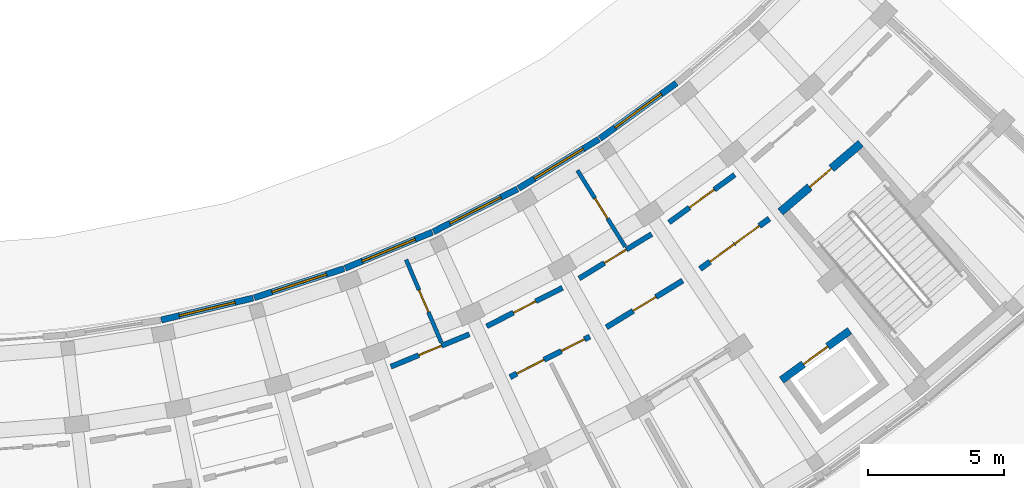
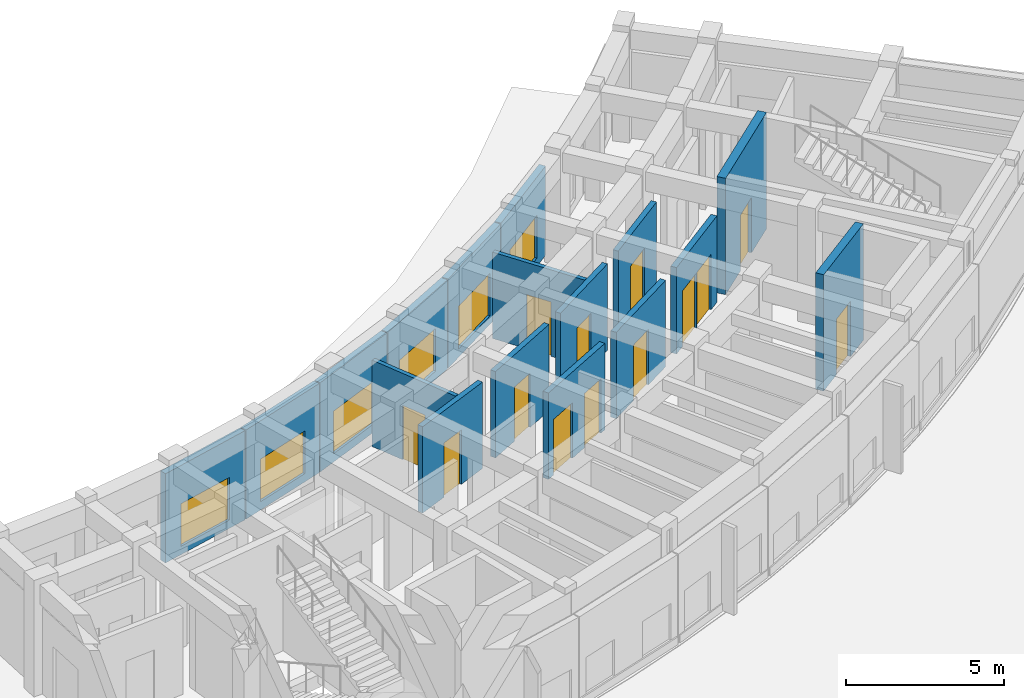
# One storey, part 44 of 61: 17 walls, 13 doors, 6 windows, 19 openings.
"""IFC4 building model written with IfcOpenShell, lengths in metres."""

from ifc_helpers import new_model, si_unit, direction, frame, frame_2d, origin, place, context, subcontext, project, spatial, rectangle, extrude, material, layer, layer_set, type_object, element, fill, save


model = new_model("IFC4")

# Units and contexts
model_context = context("Model", 3, precision=1e-05, world=origin(), true_north=direction((0.0, 1.0)))
body_context = subcontext(model_context, "Body", "Model", "MODEL_VIEW")
ifc_project = project(units=[si_unit("LENGTHUNIT", "METRE"), si_unit("AREAUNIT", "SQUARE_METRE"), si_unit("VOLUMEUNIT", "CUBIC_METRE"), si_unit("PLANEANGLEUNIT", "RADIAN"), si_unit("MASSUNIT", "GRAM", prefix="KILO")], contexts=[model_context])

# Site, building, storey
site_placement = place(None, origin())
site = spatial("IfcSite", under=ifc_project, at=site_placement, CompositionType="ELEMENT")
building_placement = place(site_placement, origin())
building = spatial("IfcBuilding", under=site, at=building_placement, Name="Zimvara Arc Housing Community", CompositionType="ELEMENT")
storey_placement = place(building_placement, origin())
storey = spatial("IfcBuildingStorey", under=building, at=storey_placement, Name="L00", CompositionType="ELEMENT", Elevation=0.0)

# Wall, opening, window
ifc_material_1 = material(Name="Board-Marked Fair-Faced Concrete C35/45", Category="concrete")
ifc_layer_1 = layer(ifc_material_1, 0.22998046875)
ifc_layer_set_1 = layer_set([ifc_layer_1], Name="Board-Marked Fair-Faced Concrete C35/45")
wall_type_1 = type_object("IfcWallType", Name="EWL-CONC-230", PredefinedType="SOLIDWALL", material=ifc_layer_set_1)
wall_1_placement = place(storey_placement, frame((134.666259765625, 66.094482421875, 0.0), z_axis=(0.0, 0.0, 1.0), x_axis=(0.972567451803, 0.232621047398, 0.0)))
wall_1 = element("IfcWall", 1, at=wall_1_placement, inside=storey, type_object=wall_type_1, Name="ewall:blkD:L00:in:b2", PredefinedType="SOLIDWALL", context=body_context, shape_type="SweptSolid", body=[
    extrude(rectangle(XDim=3.46337890625, YDim=0.22998046875, at=frame_2d((1.731689453125, 0.0))), origin(), (0.0, 0.0, 1.0), 3.449951171875),
])
opening_1_placement = place(wall_1_placement, frame((0.681884765625, 0.0, 0.320068359375)))
opening_1 = element("IfcOpeningElement", 2, at=opening_1_placement, cuts=wall_1, Name="Opening W09", PredefinedType="OPENING", context=body_context, shape_type="SweptSolid", body=[
    extrude(rectangle(XDim=2.10009765625, YDim=1.64990234375, at=frame_2d((1.050048828125, 0.824951171875))), frame((0.0, 0.125, 0.0), z_axis=(0.0, -1.0, 0.0), x_axis=(1.0, 0.0, 0.0)), (0.0, 0.0, 1.0), 0.25),
])
ifc_material_2 = material(Name="Solar Control Low-E Double Glazing", Category="glass")
window_type = type_object("IfcWindowType", Name="WIN-RES-2100x1650", PartitioningType="TRIPLE_PANEL_VERTICAL", PredefinedType="WINDOW", material=ifc_material_2)
window_1_placement = place(opening_1_placement, origin())
window_1 = element("IfcWindow", 3, at=window_1_placement, inside=storey, type_object=window_type, Name="win:blkD:L00:in:b2", OverallHeight=1.64990234375, OverallWidth=2.10009765625, PartitioningType="TRIPLE_PANEL_VERTICAL", PredefinedType="WINDOW", context=body_context, shape_type="SweptSolid", body=[
    extrude(rectangle(XDim=2.10009765625, YDim=1.64990234375, at=frame_2d((1.050048828125, 0.824951171875))), frame((0.0, 0.030029296875, 0.0), z_axis=(0.0, -1.0, 0.0), x_axis=(1.0, 0.0, 0.0)), (0.0, 0.0, 1.0), 0.06005859375),
])
fill(opening_1, window_1)

wall_2_placement = place(storey_placement, frame((138.0732421875, 66.910888671875, 0.0), z_axis=(0.0, 0.0, 1.0), x_axis=(0.951327869213, 0.308180604935, 0.0)))
wall_2 = element("IfcWall", 4, at=wall_2_placement, inside=storey, type_object=wall_type_1, Name="ewall:blkD:L00:in:b3", PredefinedType="SOLIDWALL", context=body_context, shape_type="SweptSolid", body=[
    extrude(rectangle(XDim=3.46337890625, YDim=0.22998046875, at=frame_2d((1.731689453125, 0.0))), origin(), (0.0, 0.0, 1.0), 3.449951171875),
])
opening_2_placement = place(wall_2_placement, frame((0.681884765625, 0.0, 0.320068359375)))
opening_2 = element("IfcOpeningElement", 5, at=opening_2_placement, cuts=wall_2, Name="Opening W09", PredefinedType="OPENING", context=body_context, shape_type="SweptSolid", body=[
    extrude(rectangle(XDim=2.10009765625, YDim=1.64990234375, at=frame_2d((1.050048828125, 0.824951171875))), frame((0.0, 0.125, 0.0), z_axis=(0.0, -1.0, 0.0), x_axis=(1.0, 0.0, 0.0)), (0.0, 0.0, 1.0), 0.25),
])
window_2_placement = place(opening_2_placement, origin())
window_2 = element("IfcWindow", 6, at=window_2_placement, inside=storey, type_object=window_type, Name="win:blkD:L00:in:b3", OverallHeight=1.64990234375, OverallWidth=2.10009765625, PartitioningType="TRIPLE_PANEL_VERTICAL", PredefinedType="WINDOW", context=body_context, shape_type="SweptSolid", body=[
    extrude(rectangle(XDim=2.10009765625, YDim=1.64990234375, at=frame_2d((1.050048828125, 0.824951171875))), frame((0.0, 0.030029296875, 0.0), z_axis=(0.0, -1.0, 0.0), x_axis=(1.0, 0.0, 0.0)), (0.0, 0.0, 1.0), 0.06005859375),
])
fill(opening_2, window_2)

wall_3_placement = place(storey_placement, frame((141.40576171875, 67.9921875, 0.0), z_axis=(0.0, 0.0, 1.0), x_axis=(0.924221949388, 0.381855716561, 0.0)))
wall_3 = element("IfcWall", 7, at=wall_3_placement, inside=storey, type_object=wall_type_1, Name="ewall:blkD:L00:in:b4", PredefinedType="SOLIDWALL", context=body_context, shape_type="SweptSolid", body=[
    extrude(rectangle(XDim=3.46337890625, YDim=0.22998046875, at=frame_2d((1.731689453125, 0.0))), origin(), (0.0, 0.0, 1.0), 3.449951171875),
])
opening_3_placement = place(wall_3_placement, frame((0.681884765625, 0.0, 0.320068359375)))
opening_3 = element("IfcOpeningElement", 8, at=opening_3_placement, cuts=wall_3, Name="Opening W09", PredefinedType="OPENING", context=body_context, shape_type="SweptSolid", body=[
    extrude(rectangle(XDim=2.10009765625, YDim=1.64990234375, at=frame_2d((1.050048828125, 0.824951171875))), frame((0.0, 0.125, 0.0), z_axis=(0.0, -1.0, 0.0), x_axis=(1.0, 0.0, 0.0)), (0.0, 0.0, 1.0), 0.25),
])
window_3_placement = place(opening_3_placement, origin())
window_3 = element("IfcWindow", 9, at=window_3_placement, inside=storey, type_object=window_type, Name="win:blkD:L00:in:b4", OverallHeight=1.64990234375, OverallWidth=2.10009765625, PartitioningType="TRIPLE_PANEL_VERTICAL", PredefinedType="WINDOW", context=body_context, shape_type="SweptSolid", body=[
    extrude(rectangle(XDim=2.10009765625, YDim=1.64990234375, at=frame_2d((1.050048828125, 0.824951171875))), frame((0.0, 0.030029296875, 0.0), z_axis=(0.0, -1.0, 0.0), x_axis=(1.0, 0.0, 0.0)), (0.0, 0.0, 1.0), 0.06005859375),
])
fill(opening_3, window_3)

wall_4_placement = place(storey_placement, frame((144.64306640625, 69.33154296875, 0.0), z_axis=(0.0, 0.0, 1.0), x_axis=(0.891418434034, 0.453181172893, 0.0)))
wall_4 = element("IfcWall", 10, at=wall_4_placement, inside=storey, type_object=wall_type_1, Name="ewall:blkD:L00:in:b5", PredefinedType="SOLIDWALL", context=body_context, shape_type="SweptSolid", body=[
    extrude(rectangle(XDim=3.46337890625, YDim=0.22998046875, at=frame_2d((1.731689453125, 0.0))), origin(), (0.0, 0.0, 1.0), 3.449951171875),
])
opening_4_placement = place(wall_4_placement, frame((0.681884765625, 0.0, 0.320068359375)))
opening_4 = element("IfcOpeningElement", 11, at=opening_4_placement, cuts=wall_4, Name="Opening W09", PredefinedType="OPENING", context=body_context, shape_type="SweptSolid", body=[
    extrude(rectangle(XDim=2.10009765625, YDim=1.64990234375, at=frame_2d((1.050048828125, 0.824951171875))), frame((0.0, 0.125, 0.0), z_axis=(0.0, -1.0, 0.0), x_axis=(1.0, 0.0, 0.0)), (0.0, 0.0, 1.0), 0.25),
])
window_4_placement = place(opening_4_placement, origin())
window_4 = element("IfcWindow", 12, at=window_4_placement, inside=storey, type_object=window_type, Name="win:blkD:L00:in:b5", OverallHeight=1.64990234375, OverallWidth=2.10009765625, PartitioningType="TRIPLE_PANEL_VERTICAL", PredefinedType="WINDOW", context=body_context, shape_type="SweptSolid", body=[
    extrude(rectangle(XDim=2.10009765625, YDim=1.64990234375, at=frame_2d((1.050048828125, 0.824951171875))), frame((0.0, 0.030029296875, 0.0), z_axis=(0.0, -1.0, 0.0), x_axis=(1.0, 0.0, 0.0)), (0.0, 0.0, 1.0), 0.06005859375),
])
fill(opening_4, window_4)

wall_5_placement = place(storey_placement, frame((147.765380859375, 70.920654296875, 0.0), z_axis=(0.0, 0.0, 1.0), x_axis=(0.85310231885, 0.521743647371, 0.0)))
wall_5 = element("IfcWall", 13, at=wall_5_placement, inside=storey, type_object=wall_type_1, Name="ewall:blkD:L00:in:b6", PredefinedType="SOLIDWALL", context=body_context, shape_type="SweptSolid", body=[
    extrude(rectangle(XDim=3.463623046875, YDim=0.22998046875, at=frame_2d((1.73193359375, 0.0))), origin(), (0.0, 0.0, 1.0), 3.449951171875),
])
opening_5_placement = place(wall_5_placement, frame((0.681884765625, 0.0, 0.320068359375)))
opening_5 = element("IfcOpeningElement", 14, at=opening_5_placement, cuts=wall_5, Name="Opening W09", PredefinedType="OPENING", context=body_context, shape_type="SweptSolid", body=[
    extrude(rectangle(XDim=2.10009765625, YDim=1.64990234375, at=frame_2d((1.050048828125, 0.824951171875))), frame((0.0, 0.125, 0.0), z_axis=(0.0, -1.0, 0.0), x_axis=(1.0, 0.0, 0.0)), (0.0, 0.0, 1.0), 0.25),
])
window_5_placement = place(opening_5_placement, origin())
window_5 = element("IfcWindow", 15, at=window_5_placement, inside=storey, type_object=window_type, Name="win:blkD:L00:in:b6", OverallHeight=1.64990234375, OverallWidth=2.10009765625, PartitioningType="TRIPLE_PANEL_VERTICAL", PredefinedType="WINDOW", context=body_context, shape_type="SweptSolid", body=[
    extrude(rectangle(XDim=2.10009765625, YDim=1.64990234375, at=frame_2d((1.050048828125, 0.824951171875))), frame((0.0, 0.030029296875, 0.0), z_axis=(0.0, -1.0, 0.0), x_axis=(1.0, 0.0, 0.0)), (0.0, 0.0, 1.0), 0.06005859375),
])
fill(opening_5, window_5)

wall_6_placement = place(storey_placement, frame((150.75341796875, 72.75, 0.0), z_axis=(0.0, 0.0, 1.0), x_axis=(0.809540089106, 0.587064599623, 0.0)))
wall_6 = element("IfcWall", 16, at=wall_6_placement, inside=storey, type_object=wall_type_1, Name="ewall:blkD:L00:in:b7", PredefinedType="SOLIDWALL", context=body_context, shape_type="SweptSolid", body=[
    extrude(rectangle(XDim=3.46337890625, YDim=0.22998046875, at=frame_2d((1.731689453125, 0.0))), origin(), (0.0, 0.0, 1.0), 3.449951171875),
])
opening_6_placement = place(wall_6_placement, frame((0.681884765625, 0.0, 0.320068359375)))
opening_6 = element("IfcOpeningElement", 17, at=opening_6_placement, cuts=wall_6, Name="Opening W09", PredefinedType="OPENING", context=body_context, shape_type="SweptSolid", body=[
    extrude(rectangle(XDim=2.10009765625, YDim=1.64990234375, at=frame_2d((1.050048828125, 0.824951171875))), frame((0.0, 0.125, 0.0), z_axis=(0.0, -1.0, 0.0), x_axis=(1.0, 0.0, 0.0)), (0.0, 0.0, 1.0), 0.25),
])
window_6_placement = place(opening_6_placement, origin())
window_6 = element("IfcWindow", 18, at=window_6_placement, inside=storey, type_object=window_type, Name="win:blkD:L00:in:b7", OverallHeight=1.64990234375, OverallWidth=2.10009765625, PartitioningType="TRIPLE_PANEL_VERTICAL", PredefinedType="WINDOW", context=body_context, shape_type="SweptSolid", body=[
    extrude(rectangle(XDim=2.10009765625, YDim=1.64990234375, at=frame_2d((1.050048828125, 0.824951171875))), frame((0.0, 0.030029296875, 0.0), z_axis=(0.0, -1.0, 0.0), x_axis=(1.0, 0.0, 0.0)), (0.0, 0.0, 1.0), 0.06005859375),
])
fill(opening_6, window_6)

# Wall, openings, doors
ifc_material_3 = material(Name="Concrete C35/45", Category="concrete")
ifc_layer_2 = layer(ifc_material_3, 0.2099609375)
ifc_layer_set_2 = layer_set([ifc_layer_2], Name="Concrete C35/45")
wall_type_2 = type_object("IfcWallType", Name="IWL-CCF-210", PredefinedType="SOLIDWALL", material=ifc_layer_set_2)
wall_7_placement = place(storey_placement, frame((154.4228515625, 67.968017578125, 0.0), z_axis=(0.0, 0.0, 1.0), x_axis=(0.809516127005, 0.587097641043, 0.0)))
wall_7 = element("IfcWall", 19, at=wall_7_placement, inside=storey, type_object=wall_type_2, Name="iwall:blkD:L00:ll_div:b7", PredefinedType="SOLIDWALL", context=body_context, shape_type="SweptSolid", body=[
    extrude(rectangle(XDim=3.13720703125, YDim=0.2099609375, at=frame_2d((1.568603515625, 0.0))), origin(), (0.0, 0.0, 1.0), 3.340087890625),
])
opening_7_placement = place(wall_7_placement, frame((0.449951171875, 0.0, 0.0)))
opening_7 = element("IfcOpeningElement", 20, at=opening_7_placement, cuts=wall_7, Name="Opening FD-CCF1", PredefinedType="OPENING", context=body_context, shape_type="SweptSolid", body=[
    extrude(rectangle(XDim=1.10009765625, YDim=2.14990234375, at=frame_2d((0.550048828125, 1.074951171875))), frame((0.0, 0.114990234375, 0.0), z_axis=(0.0, -1.0, 0.0), x_axis=(1.0, 0.0, 0.0)), (0.0, 0.0, 1.0), 0.22998046875),
])
opening_8_placement = place(wall_7_placement, frame((1.56689453125, 0.0, 0.0)))
opening_8 = element("IfcOpeningElement", 21, at=opening_8_placement, cuts=wall_7, Name="Opening D07", PredefinedType="OPENING", context=body_context, shape_type="SweptSolid", body=[
    extrude(rectangle(XDim=1.1201171875, YDim=2.14990234375, at=frame_2d((0.56005859375, 1.074951171875))), frame((0.0, 0.114990234375, 0.0), z_axis=(0.0, -1.0, 0.0), x_axis=(1.0, 0.0, 0.0)), (0.0, 0.0, 1.0), 0.22998046875),
])
ifc_material_4 = material(Name="Mozambican Hardwood", Category="wood")
door_type_1 = type_object("IfcDoorType", Name="IDR-AMN-1120x2150", OperationType="NOTDEFINED", PredefinedType="DOOR", material=ifc_material_4)
door_1_placement = place(opening_8_placement, origin())
door_1 = element("IfcDoor", 22, at=door_1_placement, inside=storey, type_object=door_type_1, Name="idoor:blkD:L00:rs_in:b7", OperationType="SINGLE_SWING_RIGHT", OverallHeight=2.14990234375, OverallWidth=1.1201171875, PredefinedType="DOOR", context=body_context, shape_type="SweptSolid", body=[
    extrude(rectangle(XDim=1.1201171875, YDim=2.14990234375, at=frame_2d((0.56005859375, 1.074951171875))), frame((0.0, 0.02490234375, 0.0), z_axis=(0.0, -1.0, 0.0), x_axis=(1.0, 0.0, 0.0)), (0.0, 0.0, 1.0), 0.050048828125),
])
fill(opening_8, door_1)
ifc_material_5 = material(Name="Anodised Aluminium AW-6063", Category="aluminium")
door_type_2 = type_object("IfcDoorType", Name="IDR-CCF-1100x2150", OperationType="NOTDEFINED", PredefinedType="DOOR", material=ifc_material_5)
door_2_placement = place(opening_7_placement, origin())
door_2 = element("IfcDoor", 23, at=door_2_placement, inside=storey, type_object=door_type_2, Name="idoor:blkD:L00:ll_in:b7", OperationType="SINGLE_SWING_LEFT", OverallHeight=2.14990234375, OverallWidth=1.10009765625, PredefinedType="DOOR", context=body_context, shape_type="SweptSolid", body=[
    extrude(rectangle(XDim=1.10009765625, YDim=2.14990234375, at=frame_2d((0.550048828125, 1.074951171875))), frame((0.0, 0.02490234375, 0.0), z_axis=(0.0, -1.0, 0.0), x_axis=(1.0, 0.0, 0.0)), (0.0, 0.0, 1.0), 0.050048828125),
])
fill(opening_7, door_2)

# Wall, opening, door
ifc_material_6 = material(Name="Concrete C35/45", Category="concrete")
ifc_layer_3 = layer(ifc_material_6, 0.18994140625)
ifc_layer_set_3 = layer_set([ifc_layer_3], Name="Concrete C35/45")
wall_type_3 = type_object("IfcWallType", Name="IWL-CORR-190", PredefinedType="SOLIDWALL", material=ifc_layer_set_3)
wall_8_placement = place(storey_placement, frame((143.0849609375, 64.3828125, 0.0), z_axis=(0.0, 0.0, 1.0), x_axis=(0.924213340202, 0.381876553081, 0.0)))
wall_8 = element("IfcWall", 24, at=wall_8_placement, inside=storey, type_object=wall_type_3, Name="iwall:blkD:L00:corr_in:b4", PredefinedType="SOLIDWALL", context=body_context, shape_type="SweptSolid", body=[
    extrude(rectangle(XDim=3.115966796875, YDim=0.18994140625, at=frame_2d((1.55810546875, 0.0))), origin(), (0.0, 0.0, 1.0), 3.340087890625),
])
opening_9_placement = place(wall_8_placement, frame((1.10791015625, 0.0, 0.0)))
opening_9 = element("IfcOpeningElement", 25, at=opening_9_placement, cuts=wall_8, Name="Opening D01", PredefinedType="OPENING", context=body_context, shape_type="SweptSolid", body=[
    extrude(rectangle(XDim=0.89990234375, YDim=2.10009765625, at=frame_2d((0.449951171875, 1.050048828125))), frame((0.0, 0.10498046875, 0.0), z_axis=(0.0, -1.0, 0.0), x_axis=(1.0, 0.0, 0.0)), (0.0, 0.0, 1.0), 0.2099609375),
])
ifc_material_7 = material(Name="Mozambican Hardwood", Category="wood")
door_type_3 = type_object("IfcDoorType", Name="IDR-RM-0900x2100", OperationType="NOTDEFINED", PredefinedType="DOOR", material=ifc_material_7)
door_3_placement = place(opening_9_placement, origin())
door_3 = element("IfcDoor", 26, at=door_3_placement, inside=storey, type_object=door_type_3, Name="idoor:blkD:L00:in_rm:b4", OperationType="SINGLE_SWING_RIGHT", OverallHeight=2.10009765625, OverallWidth=0.89990234375, PredefinedType="DOOR", context=body_context, shape_type="SweptSolid", body=[
    extrude(rectangle(XDim=0.89990234375, YDim=2.10009765625, at=frame_2d((0.449951171875, 1.050048828125))), frame((0.0, 0.02490234375, 0.0), z_axis=(0.0, -1.0, 0.0), x_axis=(1.0, 0.0, 0.0)), (0.0, 0.0, 1.0), 0.050048828125),
])
fill(opening_9, door_3)

wall_9_placement = place(storey_placement, frame((146.600341796875, 65.865234375, 0.0), z_axis=(0.0, 0.0, 1.0), x_axis=(0.891414101388, 0.453189695212, 0.0)))
wall_9 = element("IfcWall", 27, at=wall_9_placement, inside=storey, type_object=wall_type_3, Name="iwall:blkD:L00:corr_in:b5", PredefinedType="SOLIDWALL", context=body_context, shape_type="SweptSolid", body=[
    extrude(rectangle(XDim=3.115966796875, YDim=0.18994140625, at=frame_2d((1.55810546875, 0.0))), origin(), (0.0, 0.0, 1.0), 3.340087890625),
])
opening_10_placement = place(wall_9_placement, frame((1.097900390625, 0.0, 0.0)))
opening_10 = element("IfcOpeningElement", 28, at=opening_10_placement, cuts=wall_9, Name="Opening D02", PredefinedType="OPENING", context=body_context, shape_type="SweptSolid", body=[
    extrude(rectangle(XDim=0.919921875, YDim=2.10009765625, at=frame_2d((0.4599609375, 1.050048828125))), frame((0.0, 0.10498046875, 0.0), z_axis=(0.0, -1.0, 0.0), x_axis=(1.0, 0.0, 0.0)), (0.0, 0.0, 1.0), 0.2099609375),
])
ifc_material_8 = material(Name="Mozambican Hardwood", Category="wood")
door_type_4 = type_object("IfcDoorType", Name="IDR-RM-0920x2100", OperationType="NOTDEFINED", PredefinedType="DOOR", material=ifc_material_8)
door_4_placement = place(opening_10_placement, origin())
door_4 = element("IfcDoor", 29, at=door_4_placement, inside=storey, type_object=door_type_4, Name="idoor:blkD:L00:in_rm:b5", OperationType="SINGLE_SWING_LEFT", OverallHeight=2.10009765625, OverallWidth=0.919921875, PredefinedType="DOOR", context=body_context, shape_type="SweptSolid", body=[
    extrude(rectangle(XDim=0.919921875, YDim=2.10009765625, at=frame_2d((0.4599609375, 1.050048828125))), frame((0.0, 0.02490234375, 0.0), z_axis=(0.0, -1.0, 0.0), x_axis=(1.0, 0.0, 0.0)), (0.0, 0.0, 1.0), 0.050048828125),
])
fill(opening_10, door_4)

wall_10_placement = place(storey_placement, frame((149.988525390625, 67.61865234375, 0.0), z_axis=(0.0, 0.0, 1.0), x_axis=(0.853121049608, 0.5217130195, 0.0)))
wall_10 = element("IfcWall", 30, at=wall_10_placement, inside=storey, type_object=wall_type_3, Name="iwall:blkD:L00:corr_in:b6", PredefinedType="SOLIDWALL", context=body_context, shape_type="SweptSolid", body=[
    extrude(rectangle(XDim=3.1162109375, YDim=0.18994140625, at=frame_2d((1.55810546875, 0.0))), origin(), (0.0, 0.0, 1.0), 3.340087890625),
])
opening_11_placement = place(wall_10_placement, frame((1.087890625, 0.0, 0.0)))
opening_11 = element("IfcOpeningElement", 31, at=opening_11_placement, cuts=wall_10, Name="Opening D03", PredefinedType="OPENING", context=body_context, shape_type="SweptSolid", body=[
    extrude(rectangle(XDim=0.93994140625, YDim=2.10009765625, at=frame_2d((0.469970703125, 1.050048828125))), frame((0.0, 0.10498046875, 0.0), z_axis=(0.0, -1.0, 0.0), x_axis=(1.0, 0.0, 0.0)), (0.0, 0.0, 1.0), 0.2099609375),
])
ifc_material_9 = material(Name="Mozambican Hardwood", Category="wood")
door_type_5 = type_object("IfcDoorType", Name="IDR-RM-0940x2100", OperationType="NOTDEFINED", PredefinedType="DOOR", material=ifc_material_9)
door_5_placement = place(opening_11_placement, origin())
door_5 = element("IfcDoor", 32, at=door_5_placement, inside=storey, type_object=door_type_5, Name="idoor:blkD:L00:in_rm:b6", OperationType="SINGLE_SWING_RIGHT", OverallHeight=2.10009765625, OverallWidth=0.93994140625, PredefinedType="DOOR", context=body_context, shape_type="SweptSolid", body=[
    extrude(rectangle(XDim=0.93994140625, YDim=2.10009765625, at=frame_2d((0.469970703125, 1.050048828125))), frame((0.0, 0.02490234375, 0.0), z_axis=(0.0, -1.0, 0.0), x_axis=(1.0, 0.0, 0.0)), (0.0, 0.0, 1.0), 0.050048828125),
])
fill(opening_11, door_5)

wall_11_placement = place(storey_placement, frame((153.285400390625, 69.673583984375, 0.0), z_axis=(0.0, 0.0, 1.0), x_axis=(0.809505174959, 0.587112741911, 0.0)))
wall_11 = element("IfcWall", 33, at=wall_11_placement, inside=storey, type_object=wall_type_3, Name="iwall:blkD:L00:ra_div:b7", PredefinedType="SOLIDWALL", context=body_context, shape_type="SweptSolid", body=[
    extrude(rectangle(XDim=2.97607421875, YDim=0.18994140625, at=frame_2d((1.488037109375, 0.0))), origin(), (0.0, 0.0, 1.0), 3.340087890625),
])
opening_12_placement = place(wall_11_placement, frame((0.927978515625, 0.0, 0.0)))
opening_12 = element("IfcOpeningElement", 34, at=opening_12_placement, cuts=wall_11, Name="Opening D07", PredefinedType="OPENING", context=body_context, shape_type="SweptSolid", body=[
    extrude(rectangle(XDim=1.1201171875, YDim=2.14990234375, at=frame_2d((0.56005859375, 1.074951171875))), frame((0.0, 0.10498046875, 0.0), z_axis=(0.0, -1.0, 0.0), x_axis=(1.0, 0.0, 0.0)), (0.0, 0.0, 1.0), 0.2099609375),
])
door_6_placement = place(opening_12_placement, origin())
door_6 = element("IfcDoor", 35, at=door_6_placement, inside=storey, type_object=door_type_1, Name="idoor:blkD:L00:ra_d:b7", OperationType="SINGLE_SWING_LEFT", OverallHeight=2.14990234375, OverallWidth=1.1201171875, PredefinedType="DOOR", context=body_context, shape_type="SweptSolid", body=[
    extrude(rectangle(XDim=1.1201171875, YDim=2.14990234375, at=frame_2d((0.56005859375, 1.074951171875))), frame((0.0, 0.02490234375, 0.0), z_axis=(0.0, -1.0, 0.0), x_axis=(1.0, 0.0, 0.0)), (0.0, 0.0, 1.0), 0.050048828125),
])
fill(opening_12, door_6)

# Wall, openings, doors
ifc_material_10 = material(Name="Concrete C35/45", Category="concrete")
ifc_layer_4 = layer(ifc_material_10, 0.199951171875)
ifc_layer_set_4 = layer_set([ifc_layer_4], Name="Concrete C35/45")
wall_type_4 = type_object("IfcWallType", Name="IWL-CORR-200", PredefinedType="SOLIDWALL", material=ifc_layer_set_4)
wall_12_placement = place(storey_placement, frame((147.45703125, 64.002685546875, 0.0), z_axis=(0.0, 0.0, 1.0), x_axis=(0.891412167565, 0.45319349898, 0.0)))
wall_12 = element("IfcWall", 36, at=wall_12_placement, inside=storey, type_object=wall_type_4, Name="iwall:blkD:L00:corr_out:b5", PredefinedType="SOLIDWALL", context=body_context, shape_type="SweptSolid", body=[
    extrude(rectangle(XDim=3.277099609375, YDim=0.199951171875, at=frame_2d((1.638671875, 0.0))), origin(), (0.0, 0.0, 1.0), 3.340087890625),
])
opening_13_placement = place(wall_12_placement, frame((0.280029296875, 0.0, 0.0)))
opening_13 = element("IfcOpeningElement", 37, at=opening_13_placement, cuts=wall_12, Name="Opening D07", PredefinedType="OPENING", context=body_context, shape_type="SweptSolid", body=[
    extrude(rectangle(XDim=1.1201171875, YDim=2.14990234375, at=frame_2d((0.56005859375, 1.074951171875))), frame((0.0, 0.10986328125, 0.0), z_axis=(0.0, -1.0, 0.0), x_axis=(1.0, 0.0, 0.0)), (0.0, 0.0, 1.0), 0.219970703125),
])
opening_14_placement = place(wall_12_placement, frame((2.10693359375, 0.0, 0.0)))
opening_14 = element("IfcOpeningElement", 38, at=opening_14_placement, cuts=wall_12, Name="Opening D06", PredefinedType="OPENING", context=body_context, shape_type="SweptSolid", body=[
    extrude(rectangle(XDim=0.949951171875, YDim=2.10009765625, at=frame_2d((0.47509765625, 1.050048828125))), frame((0.0, 0.10986328125, 0.0), z_axis=(0.0, -1.0, 0.0), x_axis=(1.0, 0.0, 0.0)), (0.0, 0.0, 1.0), 0.219970703125),
])
door_7_placement = place(opening_13_placement, origin())
door_7 = element("IfcDoor", 39, at=door_7_placement, inside=storey, type_object=door_type_1, Name="idoor:blkD:L00:amen:b5", OperationType="SINGLE_SWING_LEFT", OverallHeight=2.14990234375, OverallWidth=1.1201171875, PredefinedType="DOOR", context=body_context, shape_type="SweptSolid", body=[
    extrude(rectangle(XDim=1.1201171875, YDim=2.14990234375, at=frame_2d((0.56005859375, 1.074951171875))), frame((0.0, 0.02490234375, 0.0), z_axis=(0.0, -1.0, 0.0), x_axis=(1.0, 0.0, 0.0)), (0.0, 0.0, 1.0), 0.050048828125),
])
fill(opening_13, door_7)
ifc_material_11 = material(Name="Mozambican Hardwood", Category="wood")
door_type_6 = type_object("IfcDoorType", Name="IDR-AWC-0950x2100", OperationType="NOTDEFINED", PredefinedType="DOOR", material=ifc_material_11)
door_8_placement = place(opening_14_placement, origin())
door_8 = element("IfcDoor", 40, at=door_8_placement, inside=storey, type_object=door_type_6, Name="idoor:blkD:L00:cawc:b5", OperationType="SINGLE_SWING_RIGHT", OverallHeight=2.10009765625, OverallWidth=0.949951171875, PredefinedType="DOOR", context=body_context, shape_type="SweptSolid", body=[
    extrude(rectangle(XDim=0.949951171875, YDim=2.10009765625, at=frame_2d((0.47509765625, 1.050048828125))), frame((0.0, 0.02490234375, 0.0), z_axis=(0.0, -1.0, 0.0), x_axis=(1.0, 0.0, 0.0)), (0.0, 0.0, 1.0), 0.050048828125),
])
fill(opening_14, door_8)

# Wall, opening, door
wall_13_placement = place(storey_placement, frame((150.98876953125, 65.8291015625, 0.0), z_axis=(0.0, 0.0, 1.0), x_axis=(0.853090237845, 0.521763400492, 0.0)))
wall_13 = element("IfcWall", 41, at=wall_13_placement, inside=storey, type_object=wall_type_4, Name="iwall:blkD:L00:corr_out:b6", PredefinedType="SOLIDWALL", context=body_context, shape_type="SweptSolid", body=[
    extrude(rectangle(XDim=3.27685546875, YDim=0.199951171875, at=frame_2d((1.638427734375, 0.0))), origin(), (0.0, 0.0, 1.0), 3.340087890625),
])
opening_15_placement = place(wall_13_placement, frame((1.1484375, 0.0, 0.0)))
opening_15 = element("IfcOpeningElement", 42, at=opening_15_placement, cuts=wall_13, Name="Opening FD-FL1", PredefinedType="OPENING", context=body_context, shape_type="SweptSolid", body=[
    extrude(rectangle(XDim=0.97998046875, YDim=2.14990234375, at=frame_2d((0.489990234375, 1.074951171875))), frame((0.0, 0.10986328125, 0.0), z_axis=(0.0, -1.0, 0.0), x_axis=(1.0, 0.0, 0.0)), (0.0, 0.0, 1.0), 0.219970703125),
])
ifc_material_12 = material(Name="Mozambican Hardwood", Category="wood")
door_type_7 = type_object("IfcDoorType", Name="IDR-FLAT-0980x2150", OperationType="NOTDEFINED", PredefinedType="DOOR", material=ifc_material_12)
door_9_placement = place(opening_15_placement, origin())
door_9 = element("IfcDoor", 43, at=door_9_placement, inside=storey, type_object=door_type_7, Name="idoor:blkD:L00:flat:b6", OperationType="SINGLE_SWING_LEFT", OverallHeight=2.14990234375, OverallWidth=0.97998046875, PredefinedType="DOOR", context=body_context, shape_type="SweptSolid", body=[
    extrude(rectangle(XDim=0.97998046875, YDim=2.14990234375, at=frame_2d((0.489990234375, 1.074951171875))), frame((0.0, 0.02490234375, 0.0), z_axis=(0.0, -1.0, 0.0), x_axis=(1.0, 0.0, 0.0)), (0.0, 0.0, 1.0), 0.050048828125),
])
fill(opening_15, door_9)

ifc_material_13 = material(Name="Painted Acoustic Plasterboard")
ifc_layer_5 = layer(ifc_material_13, 0.14501953125)
ifc_layer_set_5 = layer_set([ifc_layer_5], Name="Painted Acoustic Plasterboard")
wall_type_5 = type_object("IfcWallType", Name="IWL-WET-145", PredefinedType="PARTITIONING", material=ifc_layer_set_5)
wall_14_placement = place(storey_placement, frame((143.64306640625, 68.308349609375, 0.0), z_axis=(0.0, 0.0, 1.0), x_axis=(0.391203300693, -0.920304285292, 0.0)))
wall_14 = element("IfcWall", 44, at=wall_14_placement, inside=storey, type_object=wall_type_5, Name="iwall:blkD:L00:ens:b4", PredefinedType="PARTITIONING", context=body_context, shape_type="SweptSolid", body=[
    extrude(rectangle(XDim=3.300048828125, YDim=0.14501953125, at=frame_2d((1.64990234375, 0.0))), origin(), (0.0, 0.0, 1.0), 3.340087890625),
])
opening_16_placement = place(wall_14_placement, frame((1.2099609375, 0.0, 0.0)))
opening_16 = element("IfcOpeningElement", 45, at=opening_16_placement, cuts=wall_14, Name="Opening D05", PredefinedType="OPENING", context=body_context, shape_type="SweptSolid", body=[
    extrude(rectangle(XDim=0.8798828125, YDim=2.10009765625, at=frame_2d((0.43994140625, 1.050048828125))), frame((0.0, 0.08251953125, 0.0), z_axis=(0.0, -1.0, 0.0), x_axis=(1.0, 0.0, 0.0)), (0.0, 0.0, 1.0), 0.1650390625),
])
ifc_material_14 = material(Name="Mozambican Hardwood", Category="wood")
door_type_8 = type_object("IfcDoorType", Name="IDR-WC-0880x2100", OperationType="NOTDEFINED", PredefinedType="DOOR", material=ifc_material_14)
door_10_placement = place(opening_16_placement, origin())
door_10 = element("IfcDoor", 46, at=door_10_placement, inside=storey, type_object=door_type_8, Name="idoor:blkD:L00:ens_d:b4", OperationType="SINGLE_SWING_LEFT", OverallHeight=2.10009765625, OverallWidth=0.8798828125, PredefinedType="DOOR", context=body_context, shape_type="SweptSolid", body=[
    extrude(rectangle(XDim=0.8798828125, YDim=2.10009765625, at=frame_2d((0.43994140625, 1.050048828125))), frame((0.0, 0.02490234375, 0.0), z_axis=(0.0, -1.0, 0.0), x_axis=(1.0, 0.0, 0.0)), (0.0, 0.0, 1.0), 0.050048828125),
])
fill(opening_16, door_10)

wall_15_placement = place(storey_placement, frame((149.925537109375, 71.5830078125, 0.0), z_axis=(0.0, 0.0, 1.0), x_axis=(0.5303779416, -0.847761310196, 0.0)))
wall_15 = element("IfcWall", 47, at=wall_15_placement, inside=storey, type_object=wall_type_5, Name="iwall:blkD:L00:ens:b6", PredefinedType="PARTITIONING", context=body_context, shape_type="SweptSolid", body=[
    extrude(rectangle(XDim=3.300048828125, YDim=0.14501953125, at=frame_2d((1.64990234375, 0.0))), origin(), (0.0, 0.0, 1.0), 3.340087890625),
])
opening_17_placement = place(wall_15_placement, frame((1.2099609375, 0.0, 0.0)))
opening_17 = element("IfcOpeningElement", 48, at=opening_17_placement, cuts=wall_15, Name="Opening D05", PredefinedType="OPENING", context=body_context, shape_type="SweptSolid", body=[
    extrude(rectangle(XDim=0.8798828125, YDim=2.10009765625, at=frame_2d((0.43994140625, 1.050048828125))), frame((0.0, 0.08251953125, 0.0), z_axis=(0.0, -1.0, 0.0), x_axis=(1.0, 0.0, 0.0)), (0.0, 0.0, 1.0), 0.1650390625),
])
door_11_placement = place(opening_17_placement, origin())
door_11 = element("IfcDoor", 49, at=door_11_placement, inside=storey, type_object=door_type_8, Name="idoor:blkD:L00:ens_d:b6", OperationType="SINGLE_SWING_LEFT", OverallHeight=2.10009765625, OverallWidth=0.8798828125, PredefinedType="DOOR", context=body_context, shape_type="SweptSolid", body=[
    extrude(rectangle(XDim=0.8798828125, YDim=2.10009765625, at=frame_2d((0.43994140625, 1.050048828125))), frame((0.0, 0.02490234375, 0.0), z_axis=(0.0, -1.0, 0.0), x_axis=(1.0, 0.0, 0.0)), (0.0, 0.0, 1.0), 0.050048828125),
])
fill(opening_17, door_11)

ifc_material_15 = material(Name="Concrete C40/50", Category="concrete")
ifc_layer_6 = layer(ifc_material_15, 0.280029296875)
ifc_layer_set_6 = layer_set([ifc_layer_6], Name="Concrete C40/50")
wall_type_6 = type_object("IfcWallType", Name="WL-CORE-280", PredefinedType="SHEAR", material=ifc_layer_set_6)
wall_16_placement = place(storey_placement, frame((157.408935546875, 63.890380859375, 0.0), z_axis=(0.0, 0.0, 1.0), x_axis=(0.809510936031, 0.587104798521, 0.0)))
wall_16 = element("IfcWall", 50, at=wall_16_placement, inside=storey, type_object=wall_type_6, Name="lwall:LP-D2:L00:front", PredefinedType="SHEAR", context=body_context, shape_type="SweptSolid", body=[
    extrude(rectangle(XDim=3.090087890625, YDim=0.280029296875, at=frame_2d((1.544921875, 0.0))), origin(), (0.0, 0.0, 1.0), 4.5),
])
opening_18_placement = place(wall_16_placement, frame((0.9951171875, 0.0, 0.0)))
opening_18 = element("IfcOpeningElement", 51, at=opening_18_placement, cuts=wall_16, Name="Opening LD-LP-D2", PredefinedType="OPENING", context=body_context, shape_type="SweptSolid", body=[
    extrude(rectangle(XDim=1.10009765625, YDim=2.14990234375, at=frame_2d((0.550048828125, 1.074951171875))), frame((0.0, 0.14990234375, 0.0), z_axis=(0.0, -1.0, 0.0), x_axis=(1.0, 0.0, 0.0)), (0.0, 0.0, 1.0), 0.300048828125),
])
ifc_material_16 = material(Name="Anodised Aluminium AW-6063", Category="aluminium")
door_type_9 = type_object("IfcDoorType", Name="IDR-LD-1100x2150", OperationType="DOUBLE_DOOR_SLIDING", PredefinedType="DOOR", material=ifc_material_16)
door_12_placement = place(opening_18_placement, origin())
door_12 = element("IfcDoor", 52, at=door_12_placement, inside=storey, type_object=door_type_9, Name="Lift LP-D2 Sliding Landing Door L00", OperationType="DOUBLE_DOOR_SLIDING", OverallHeight=2.14990234375, OverallWidth=1.10009765625, PredefinedType="DOOR", context=body_context, shape_type="SweptSolid", body=[
    extrude(rectangle(XDim=1.10009765625, YDim=2.14990234375, at=frame_2d((0.550048828125, 1.074951171875))), frame((0.0, 0.02490234375, 0.0), z_axis=(0.0, -1.0, 0.0), x_axis=(1.0, 0.0, 0.0)), (0.0, 0.0, 1.0), 0.050048828125),
])
fill(opening_18, door_12)

ifc_material_17 = material(Name="Concrete C40/50", Category="concrete")
ifc_layer_7 = layer(ifc_material_17, 0.300048828125)
ifc_layer_set_7 = layer_set([ifc_layer_7], Name="Concrete C40/50")
wall_type_7 = type_object("IfcWallType", Name="WL-CORE-300", PredefinedType="SHEAR", material=ifc_layer_set_7)
wall_17_placement = place(storey_placement, frame((157.37158203125, 70.0576171875, 0.0), z_axis=(0.0, 0.0, 1.0), x_axis=(0.760990583254, 0.648762924495, 0.0)))
wall_17 = element("IfcWall", 53, at=wall_17_placement, inside=storey, type_object=wall_type_7, Name="cwall:ST-D2:L00:near", PredefinedType="SHEAR", context=body_context, shape_type="SweptSolid", body=[
    extrude(rectangle(XDim=3.8701171875, YDim=0.300048828125, at=frame_2d((1.93505859375, 0.0))), origin(), (0.0, 0.0, 1.0), 4.5),
])
opening_19_placement = place(wall_17_placement, frame((1.409912109375, 0.0, 0.0)))
opening_19 = element("IfcOpeningElement", 54, at=opening_19_placement, cuts=wall_17, Name="Opening FD-ST2", PredefinedType="OPENING", context=body_context, shape_type="SweptSolid", body=[
    extrude(rectangle(XDim=1.050048828125, YDim=2.14990234375, at=frame_2d((0.52490234375, 1.074951171875))), frame((0.0, 0.159912109375, 0.0), z_axis=(0.0, -1.0, 0.0), x_axis=(1.0, 0.0, 0.0)), (0.0, 0.0, 1.0), 0.320068359375),
])
ifc_material_18 = material(Name="Anodised Aluminium AW-6063", Category="aluminium")
door_type_10 = type_object("IfcDoorType", Name="IDR-ST-1050x2150", OperationType="NOTDEFINED", PredefinedType="DOOR", material=ifc_material_18)
door_13_placement = place(opening_19_placement, origin())
door_13 = element("IfcDoor", 55, at=door_13_placement, inside=storey, type_object=door_type_10, Name="idoor:ST-D2:L00:entry", OperationType="SINGLE_SWING_RIGHT", OverallHeight=2.14990234375, OverallWidth=1.050048828125, PredefinedType="DOOR", context=body_context, shape_type="SweptSolid", body=[
    extrude(rectangle(XDim=1.050048828125, YDim=2.14990234375, at=frame_2d((0.52490234375, 1.074951171875))), frame((0.0, 0.02490234375, 0.0), z_axis=(0.0, -1.0, 0.0), x_axis=(1.0, 0.0, 0.0)), (0.0, 0.0, 1.0), 0.050048828125),
])
fill(opening_19, door_13)

save(model, "model.ifc")
